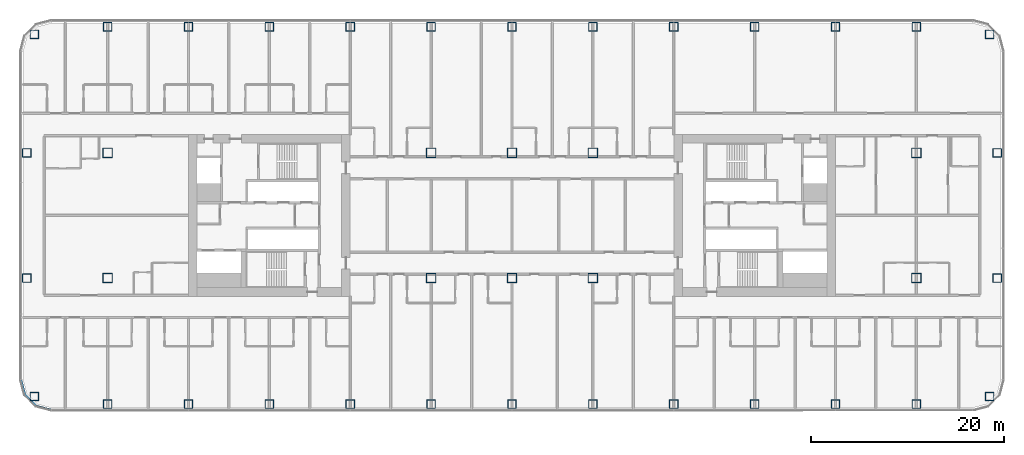
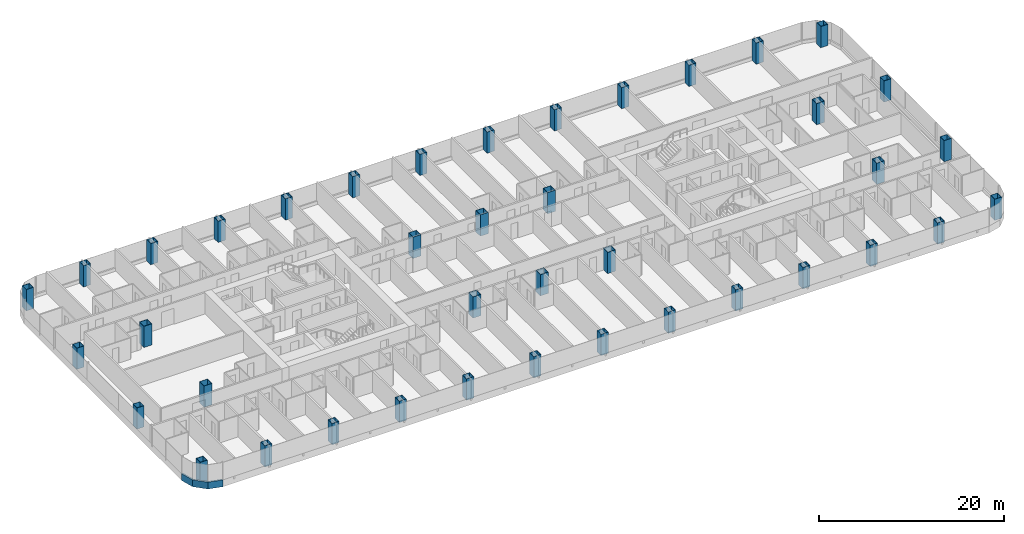
# One storey, part 1 of 29: 40 columns, 1 member, 1 element without a shape of its own.
"""IFC4 building model written with IfcOpenShell, lengths in metres."""

from ifc_helpers import new_model, si_unit, direction, frame, origin, origin_2d, place, context, subcontext, project, spatial, polyline, rectangle, hollow_rectangle, outline, extrude, material, layer, layer_set, material_profile, profile_set, type_object, element, aggregate, save


model = new_model("IFC4")

# Units and contexts
model_context = context("Model", 3, precision=1e-05, world=origin(), true_north=direction((0.0, 1.0)))
body_context = subcontext(model_context, "Body", "Model", "MODEL_VIEW")
ifc_project = project(units=[si_unit("LENGTHUNIT", "METRE"), si_unit("AREAUNIT", "SQUARE_METRE"), si_unit("VOLUMEUNIT", "CUBIC_METRE"), si_unit("PLANEANGLEUNIT", "RADIAN"), si_unit("MASSUNIT", "GRAM", prefix="KILO")], contexts=[model_context])

# Site, building, storey
site_placement = place(None, origin())
site = spatial("IfcSite", under=ifc_project, at=site_placement, CompositionType="ELEMENT")
building_placement = place(site_placement, origin())
building = spatial("IfcBuilding", under=site, at=building_placement, Name="Hakoniwa Tower and Hamabe Station Hall", CompositionType="ELEMENT")
storey_placement = place(building_placement, frame((0.0, 0.0, 55.0)))
storey = spatial("IfcBuildingStorey", under=building, at=storey_placement, Name="L15", CompositionType="ELEMENT", Elevation=55.0)

# Columns
ifc_material_1 = material(Name="Steel SN490C", Category="steel")
ifc_material_profile_1 = material_profile(ifc_material_1, hollow_rectangle(XDim=1.0, YDim=1.0, WallThickness=0.0400390625, at=origin_2d()), Name="BX-1000x1000x40")
ifc_profile_set_1 = profile_set([ifc_material_profile_1], Name="Steel SN490C")
column_type_1 = type_object("IfcColumnType", Name="COLUMN BX-1000x1000x40", PredefinedType="COLUMN", material=ifc_profile_set_1)
for number, where, z_axis, x_axis, name in (
    (1, (-42.0, -6.5, 0.0), (0.0, 0.0, 1.0), (1.0, 0.0, 0.0), "Column B1-2-C1"),
    (2, (-42.0, 6.5, 0.0), (0.0, 0.0, 1.0), (1.0, 0.0, 0.0), "Column B1-2-E1"),
    (3, (-8.39990234375, -6.5, 0.0), (0.0, 0.0, 1.0), (1.0, 0.0, 0.0), "Column B1-6-C1"),
    (4, (-8.39990234375, 6.5, 0.0), (0.0, 0.0, 1.0), (1.0, 0.0, 0.0), "Column B1-6-E1"),
    (5, (0.0, -6.5, 0.0), (0.0, 0.0, 1.0), (1.0, 0.0, 0.0), "Column B1-7-C1"),
    (6, (0.0, 6.5, 0.0), (0.0, 0.0, 1.0), (1.0, 0.0, 0.0), "Column B1-7-E1"),
    (7, (8.39990234375, -6.5, 0.0), (0.0, 0.0, 1.0), (1.0, 0.0, 0.0), "Column B1-8-C1"),
    (8, (8.39990234375, 6.5, 0.0), (0.0, 0.0, 1.0), (1.0, 0.0, 0.0), "Column B1-8-E1"),
    (9, (42.0, -6.5, 0.0), (0.0, 0.0, 1.0), (1.0, 0.0, 0.0), "Column B1-12-C1"),
    (10, (42.0, 6.5, 0.0), (0.0, 0.0, 1.0), (1.0, 0.0, 0.0), "Column B1-12-E1"),
):
    element("IfcColumn", number, at=place(storey_placement, frame(where, z_axis=z_axis, x_axis=x_axis)), inside=storey, type_object=column_type_1, Name=name, PredefinedType="COLUMN", context=body_context, shape_type="SweptSolid", body=[
        extrude(hollow_rectangle(XDim=1.0, YDim=1.0, WallThickness=0.0400390625, at=origin_2d()), origin(), (0.0, 0.0, 1.0), 2.800048828125),
    ])
ifc_material_2 = material(Name="Steel SN490C", Category="steel")
ifc_material_profile_2 = material_profile(ifc_material_2, hollow_rectangle(XDim=0.89990234375, YDim=0.89990234375, WallThickness=0.035888671875, at=origin_2d()), Name="BX-900x900x36")
ifc_profile_set_2 = profile_set([ifc_material_profile_2], Name="Steel SN490C")
column_type_2 = type_object("IfcColumnType", Name="COLUMN BX-900x900x36", PredefinedType="COLUMN", material=ifc_profile_set_2)
for number, where, z_axis, x_axis, name in (
    (11, (-49.60302734375, -18.802978515625, 0.0), (0.0, 0.0, 1.0), (1.0, 0.0, 0.0), "Column B1-1-A1"),
    (12, (-50.39990234375, -6.5, 0.0), (0.0, 0.0, 1.0), (1.0, 0.0, 0.0), "Column B1-1-C1"),
    (13, (-50.39990234375, 6.5, 0.0), (0.0, 0.0, 1.0), (1.0, 0.0, 0.0), "Column B1-1-E1"),
    (14, (-49.60302734375, 18.802978515625, 0.0), (0.0, 0.0, 1.0), (1.0, 0.0, 0.0), "Column B1-1-G1"),
    (15, (-42.0, -19.60009765625, 0.0), (0.0, 0.0, 1.0), (1.0, 0.0, 0.0), "Column B1-2-A1"),
    (16, (-42.0, 19.60009765625, 0.0), (0.0, 0.0, 1.0), (1.0, 0.0, 0.0), "Column B1-2-G1"),
    (17, (-33.60009765625, -19.60009765625, 0.0), (0.0, 0.0, 1.0), (1.0, 0.0, 0.0), "Column B1-3-A1"),
    (18, (-33.60009765625, 19.60009765625, 0.0), (0.0, 0.0, 1.0), (1.0, 0.0, 0.0), "Column B1-3-G1"),
    (19, (-25.199951171875, -19.60009765625, 0.0), (0.0, 0.0, 1.0), (1.0, 0.0, 0.0), "Column B1-4-A1"),
    (20, (-25.199951171875, 19.60009765625, 0.0), (0.0, 0.0, 1.0), (1.0, 0.0, 0.0), "Column B1-4-G1"),
    (21, (-16.800048828125, -19.60009765625, 0.0), (0.0, 0.0, 1.0), (1.0, 0.0, 0.0), "Column B1-5-A1"),
    (22, (-16.800048828125, 19.60009765625, 0.0), (0.0, 0.0, 1.0), (1.0, 0.0, 0.0), "Column B1-5-G1"),
    (23, (-8.39990234375, -19.60009765625, 0.0), (0.0, 0.0, 1.0), (1.0, 0.0, 0.0), "Column B1-6-A1"),
    (24, (-8.39990234375, 19.60009765625, 0.0), (0.0, 0.0, 1.0), (1.0, 0.0, 0.0), "Column B1-6-G1"),
    (25, (0.0, -19.60009765625, 0.0), (0.0, 0.0, 1.0), (1.0, 0.0, 0.0), "Column B1-7-A1"),
    (26, (0.0, 19.60009765625, 0.0), (0.0, 0.0, 1.0), (1.0, 0.0, 0.0), "Column B1-7-G1"),
    (27, (8.39990234375, -19.60009765625, 0.0), (0.0, 0.0, 1.0), (1.0, 0.0, 0.0), "Column B1-8-A1"),
    (28, (8.39990234375, 19.60009765625, 0.0), (0.0, 0.0, 1.0), (1.0, 0.0, 0.0), "Column B1-8-G1"),
    (29, (16.800048828125, -19.60009765625, 0.0), (0.0, 0.0, 1.0), (1.0, 0.0, 0.0), "Column B1-9-A1"),
    (30, (16.800048828125, 19.60009765625, 0.0), (0.0, 0.0, 1.0), (1.0, 0.0, 0.0), "Column B1-9-G1"),
    (31, (25.199951171875, -19.60009765625, 0.0), (0.0, 0.0, 1.0), (1.0, 0.0, 0.0), "Column B1-10-A1"),
    (32, (25.199951171875, 19.60009765625, 0.0), (0.0, 0.0, 1.0), (1.0, 0.0, 0.0), "Column B1-10-G1"),
    (33, (33.60009765625, -19.60009765625, 0.0), (0.0, 0.0, 1.0), (1.0, 0.0, 0.0), "Column B1-11-A1"),
    (34, (33.60009765625, 19.60009765625, 0.0), (0.0, 0.0, 1.0), (1.0, 0.0, 0.0), "Column B1-11-G1"),
    (35, (42.0, -19.60009765625, 0.0), (0.0, 0.0, 1.0), (1.0, 0.0, 0.0), "Column B1-12-A1"),
    (36, (42.0, 19.60009765625, 0.0), (0.0, 0.0, 1.0), (1.0, 0.0, 0.0), "Column B1-12-G1"),
    (37, (49.60302734375, -18.802978515625, 0.0), (0.0, 0.0, 1.0), (1.0, 0.0, 0.0), "Column B1-13-A1"),
    (38, (50.39990234375, -6.5, 0.0), (0.0, 0.0, 1.0), (1.0, 0.0, 0.0), "Column B1-13-C1"),
    (39, (50.39990234375, 6.5, 0.0), (0.0, 0.0, 1.0), (1.0, 0.0, 0.0), "Column B1-13-E1"),
    (40, (49.60302734375, 18.802978515625, 0.0), (0.0, 0.0, 1.0), (1.0, 0.0, 0.0), "Column B1-13-G1"),
):
    element("IfcColumn", number, at=place(storey_placement, frame(where, z_axis=z_axis, x_axis=x_axis)), inside=storey, type_object=column_type_2, Name=name, PredefinedType="COLUMN", context=body_context, shape_type="SweptSolid", body=[
        extrude(hollow_rectangle(XDim=0.89990234375, YDim=0.89990234375, WallThickness=0.035888671875, at=origin_2d()), origin(), (0.0, 0.0, 1.0), 2.800048828125),
    ])

# Curtain wall, member
ifc_material_3 = material(Name="Dark low-e laminated glass", Category="glass")
ifc_layer = layer(ifc_material_3, 0.199951171875)
ifc_layer_set = layer_set([ifc_layer], Name="CW-1 UNITISED GUEST")
curtain_wall_type = type_object("IfcCurtainWallType", Name="CW-1 UNITISED GUEST", PredefinedType="NOTDEFINED", material=ifc_layer_set)
curtain_wall_placement = place(storey_placement, origin())
curtain_wall = element("IfcCurtainWall", 41, at=curtain_wall_placement, inside=storey, type_object=curtain_wall_type, Name="CW-1 curtain wall", PredefinedType="NOTDEFINED")
ifc_material_4 = material(Name="Aluminium 6063-T5 black anodised", Category="aluminium")
ifc_material_profile_3 = material_profile(ifc_material_4, rectangle(XDim=0.199951171875, YDim=0.89990234375, at=origin_2d()), Name="CW SLAB-EDGE BAND 900X200")
ifc_profile_set_3 = profile_set([ifc_material_profile_3], Name="Aluminium 6063-T5 black anodised")
member_type = type_object("IfcMemberType", Name="CW SLAB-EDGE BAND 900X200", PredefinedType="USERDEFINED", material=ifc_profile_set_3)
member_placement = place(storey_placement, frame((0.0, 0.0, -0.550048828125)))
member = element("IfcMember", 42, at=member_placement, type_object=member_type, Name="CW-1 transom", ObjectType="TRANSOM", PredefinedType="USERDEFINED", context=body_context, shape_type="SweptSolid", body=[
    extrude(outline(polyline([(-51.10009765625, -17.03955078125), (-50.6669921875, -18.6552734375), (-49.455322265625, -19.866943359375), (-47.839599609375, -20.300048828125), (-47.787841796875, -20.10693359375), (-49.351806640625, -19.687744140625), (-50.48779296875, -18.5517578125), (-50.90673828125, -16.98779296875), (-51.10009765625, -17.03955078125)])), origin(), (0.0, 0.0, 1.0), 0.900146484375),
])
aggregate(curtain_wall, [member])

save(model, "model.ifc")
